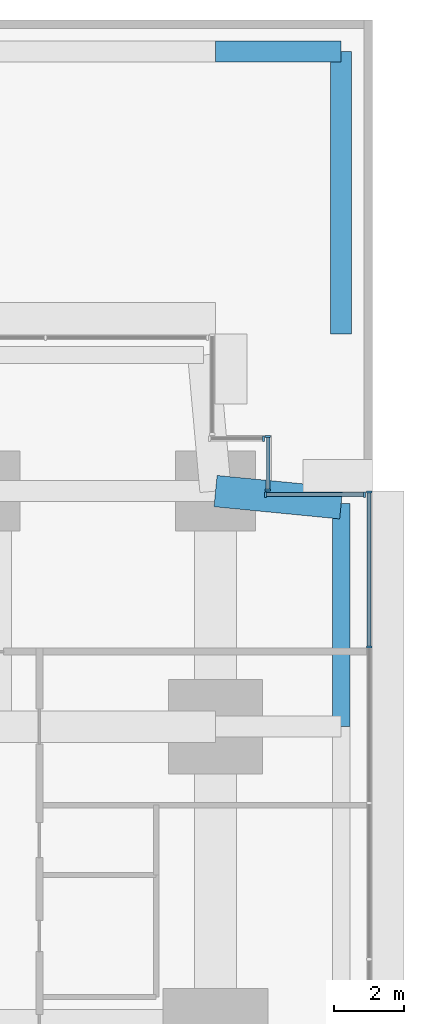
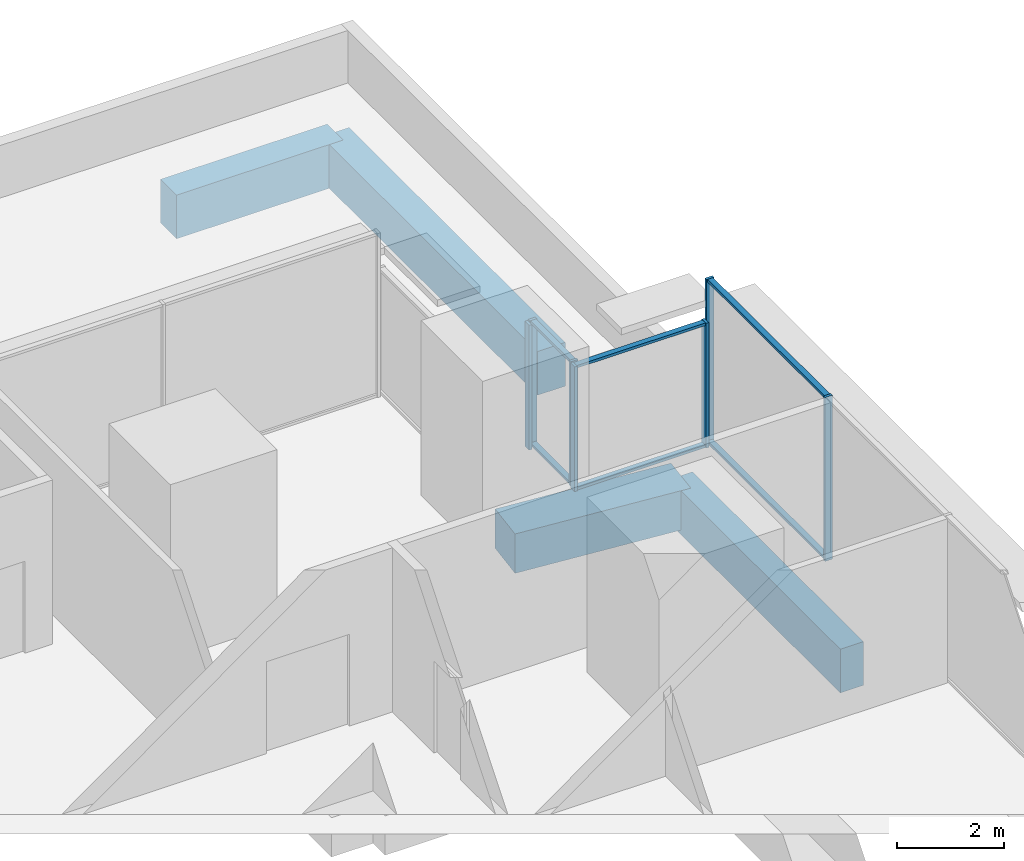
# One storey, part 20 of 34: 13 members, 4 beams, 4 elements without a shape of their own.
"""IFC4 building model written with IfcOpenShell, lengths in metres."""

from ifc_helpers import new_model, si_unit, direction, frame, origin, origin_2d, place, context, subcontext, project, spatial, rectangle, extrude, material, layer, layer_set, material_profile, profile_set, type_object, element, aggregate, save


model = new_model("IFC4")

# Units and contexts
model_context = context("Model", 3, precision=1e-05, world=origin(), true_north=direction((0.0, 1.0)))
body_context = subcontext(model_context, "Body", "Model", "MODEL_VIEW")
ifc_project = project(units=[si_unit("LENGTHUNIT", "METRE"), si_unit("AREAUNIT", "SQUARE_METRE"), si_unit("VOLUMEUNIT", "CUBIC_METRE"), si_unit("PLANEANGLEUNIT", "RADIAN"), si_unit("MASSUNIT", "GRAM", prefix="KILO")], contexts=[model_context])

# Site, building, storey
site_placement = place(None, origin())
site = spatial("IfcSite", under=ifc_project, at=site_placement, CompositionType="ELEMENT")
building_placement = place(site_placement, origin())
building = spatial("IfcBuilding", under=site, at=building_placement, Name="Namib Vertical Campus", CompositionType="ELEMENT")
storey_placement = place(building_placement, frame((0.0, 0.0, 21.0)))
storey = spatial("IfcBuildingStorey", under=building, at=storey_placement, Name="L04", CompositionType="ELEMENT", Elevation=21.0)

# Curtain wall, members
ifc_material_1 = material(Name="Black aluminium curtain wall", Category="aluminium")
ifc_layer = layer(ifc_material_1, 0.199951171875)
ifc_layer_set = layer_set([ifc_layer], Name="Lounge curtain wall CW-L4")
curtain_wall_type = type_object("IfcCurtainWallType", Name="Lounge curtain wall CW-L4", PredefinedType="USERDEFINED", material=ifc_layer_set)
curtain_wall_1_placement = place(storey_placement, origin())
curtain_wall_1 = element("IfcCurtainWall", 1, at=curtain_wall_1_placement, inside=storey, type_object=curtain_wall_type, Name="Curtain wall CW-L4 L04 F06-1", ObjectType="CURTAIN WALL", PredefinedType="USERDEFINED")
ifc_material_2 = material(Name="Black anodised aluminium", Category="aluminium")
ifc_material_profile_1 = material_profile(ifc_material_2, rectangle(XDim=0.06005859375, YDim=0.159912109375, at=origin_2d()))
ifc_profile_set_1 = profile_set([ifc_material_profile_1], Name="Black anodised aluminium")
member_type_1 = type_object("IfcMemberType", Name="Curtain wall mullion 60x160", PredefinedType="MULLION", material=ifc_profile_set_1)
member_1_placement = place(storey_placement, frame((98.89990234375, 31.528564453125, 0.0), z_axis=(0.0, 0.0, 1.0), x_axis=(0.0, 1.0, 0.0)))
member_1 = element("IfcMember", 2, at=member_1_placement, type_object=member_type_1, Name="CW-L4 mullion 7", PredefinedType="MULLION", context=body_context, shape_type="SweptSolid", body=[
    extrude(rectangle(XDim=0.06005859375, YDim=0.159912109375, at=origin_2d()), origin(), (0.0, 0.0, 1.0), 3.75),
])
member_2_placement = place(storey_placement, frame((98.89990234375, 35.969970703125, 0.0), z_axis=(0.0, 0.0, 1.0), x_axis=(0.0, 1.0, 0.0)))
member_2 = element("IfcMember", 3, at=member_2_placement, type_object=member_type_1, Name="CW-L4 mullion 8", PredefinedType="MULLION", context=body_context, shape_type="SweptSolid", body=[
    extrude(rectangle(XDim=0.06005859375, YDim=0.159912109375, at=origin_2d()), origin(), (0.0, 0.0, 1.0), 3.75),
])

curtain_wall_2_placement = place(storey_placement, origin())
curtain_wall_2 = element("IfcCurtainWall", 4, at=curtain_wall_2_placement, inside=storey, type_object=curtain_wall_type, Name="Curtain wall CW-L4 L04 F07-1", ObjectType="CURTAIN WALL", PredefinedType="USERDEFINED")
member_3_placement = place(storey_placement, frame((98.77001953125, 35.89990234375, 0.0), z_axis=(0.0, 0.0, 1.0), x_axis=(-1.0, 0.0, 0.0)))
member_3 = element("IfcMember", 5, at=member_3_placement, type_object=member_type_1, Name="CW-L4 mullion 1", PredefinedType="MULLION", context=body_context, shape_type="SweptSolid", body=[
    extrude(rectangle(XDim=0.06005859375, YDim=0.159912109375, at=origin_2d()), origin(), (0.0, 0.0, 1.0), 2.85009765625),
])
member_4_placement = place(storey_placement, frame((95.929931640625, 35.89990234375, 0.0), z_axis=(0.0, 0.0, 1.0), x_axis=(-1.0, 0.0, 0.0)))
member_4 = element("IfcMember", 6, at=member_4_placement, type_object=member_type_1, Name="CW-L4 mullion 2", PredefinedType="MULLION", context=body_context, shape_type="SweptSolid", body=[
    extrude(rectangle(XDim=0.06005859375, YDim=0.159912109375, at=origin_2d()), origin(), (0.0, 0.0, 1.0), 2.85009765625),
])

curtain_wall_3_placement = place(storey_placement, origin())
curtain_wall_3 = element("IfcCurtainWall", 7, at=curtain_wall_3_placement, inside=storey, type_object=curtain_wall_type, Name="Curtain wall CW-L4 L04 F08-1", ObjectType="CURTAIN WALL", PredefinedType="USERDEFINED")
member_5_placement = place(storey_placement, frame((96.0, 36.030029296875, 0.0), z_axis=(0.0, 0.0, 1.0), x_axis=(0.0, 1.0, 0.0)))
member_5 = element("IfcMember", 8, at=member_5_placement, type_object=member_type_1, Name="CW-L4 mullion 1", PredefinedType="MULLION", context=body_context, shape_type="SweptSolid", body=[
    extrude(rectangle(XDim=0.06005859375, YDim=0.159912109375, at=origin_2d()), origin(), (0.0, 0.0, 1.0), 2.85009765625),
])
member_6_placement = place(storey_placement, frame((96.0, 37.570068359375, 0.0), z_axis=(0.0, 0.0, 1.0), x_axis=(0.0, 1.0, 0.0)))
member_6 = element("IfcMember", 9, at=member_6_placement, type_object=member_type_1, Name="CW-L4 mullion 2", PredefinedType="MULLION", context=body_context, shape_type="SweptSolid", body=[
    extrude(rectangle(XDim=0.06005859375, YDim=0.159912109375, at=origin_2d()), origin(), (0.0, 0.0, 1.0), 2.85009765625),
])

# Curtain wall, member
curtain_wall_4_placement = place(storey_placement, origin())
curtain_wall_4 = element("IfcCurtainWall", 10, at=curtain_wall_4_placement, inside=storey, type_object=curtain_wall_type, Name="Curtain wall CW-L4 L04 F09-1", ObjectType="CURTAIN WALL", PredefinedType="USERDEFINED")
member_7_placement = place(storey_placement, frame((95.8701171875, 37.5, 0.0), z_axis=(0.0, 0.0, 1.0), x_axis=(-1.0, 0.0, 0.0)))
member_7 = element("IfcMember", 11, at=member_7_placement, type_object=member_type_1, Name="CW-L4 mullion 1", PredefinedType="MULLION", context=body_context, shape_type="SweptSolid", body=[
    extrude(rectangle(XDim=0.06005859375, YDim=0.159912109375, at=origin_2d()), origin(), (0.0, 0.0, 1.0), 2.85009765625),
])
aggregate(curtain_wall_4, [member_7])

# Member
ifc_material_3 = material(Name="Black anodised aluminium", Category="aluminium")
ifc_material_profile_2 = material_profile(ifc_material_3, rectangle(XDim=0.06005859375, YDim=0.1201171875, at=origin_2d()))
ifc_profile_set_2 = profile_set([ifc_material_profile_2], Name="Black anodised aluminium")
member_type_2 = type_object("IfcMemberType", Name="Curtain wall transom 60x120", PredefinedType="USERDEFINED", material=ifc_profile_set_2)
member_8_placement = place(storey_placement, frame((98.89990234375, 31.55859375, 0.030029296875), z_axis=(0.0, 1.0, 0.0), x_axis=(0.0, 0.0, 1.0)))
member_8 = element("IfcMember", 12, at=member_8_placement, type_object=member_type_2, Name="CW-L4 transom 7.1", ObjectType="TRANSOM", PredefinedType="USERDEFINED", context=body_context, shape_type="SweptSolid", body=[
    extrude(rectangle(XDim=0.06005859375, YDim=0.1201171875, at=origin_2d()), origin(), (0.0, 0.0, 1.0), 4.38134765625),
])

member_9_placement = place(storey_placement, frame((98.89990234375, 31.55859375, 3.719970703125), z_axis=(0.0, 1.0, 0.0), x_axis=(0.0, 0.0, 1.0)))
member_9 = element("IfcMember", 13, at=member_9_placement, type_object=member_type_2, Name="CW-L4 transom 7.2", ObjectType="TRANSOM", PredefinedType="USERDEFINED", context=body_context, shape_type="SweptSolid", body=[
    extrude(rectangle(XDim=0.06005859375, YDim=0.1201171875, at=origin_2d()), origin(), (0.0, 0.0, 1.0), 4.38134765625),
])

aggregate(curtain_wall_1, [member_1, member_2, member_8, member_9])

member_10_placement = place(storey_placement, frame((98.739990234375, 35.89990234375, 0.030029296875), z_axis=(-1.0, 0.0, 0.0), x_axis=(0.0, 0.0, 1.0)))
member_10 = element("IfcMember", 14, at=member_10_placement, type_object=member_type_2, Name="CW-L4 transom 1.1", ObjectType="TRANSOM", PredefinedType="USERDEFINED", context=body_context, shape_type="SweptSolid", body=[
    extrude(rectangle(XDim=0.06005859375, YDim=0.1201171875, at=origin_2d()), origin(), (0.0, 0.0, 1.0), 2.780029296875),
])

member_11_placement = place(storey_placement, frame((98.739990234375, 35.89990234375, 2.820068359375), z_axis=(-1.0, 0.0, 0.0), x_axis=(0.0, 0.0, 1.0)))
member_11 = element("IfcMember", 15, at=member_11_placement, type_object=member_type_2, Name="CW-L4 transom 1.2", ObjectType="TRANSOM", PredefinedType="USERDEFINED", context=body_context, shape_type="SweptSolid", body=[
    extrude(rectangle(XDim=0.06005859375, YDim=0.1201171875, at=origin_2d()), origin(), (0.0, 0.0, 1.0), 2.780029296875),
])

aggregate(curtain_wall_2, [member_3, member_4, member_10, member_11])

member_12_placement = place(storey_placement, frame((96.0, 36.06005859375, 0.030029296875), z_axis=(0.0, 1.0, 0.0), x_axis=(0.0, 0.0, 1.0)))
member_12 = element("IfcMember", 16, at=member_12_placement, type_object=member_type_2, Name="CW-L4 transom 1.1", ObjectType="TRANSOM", PredefinedType="USERDEFINED", context=body_context, shape_type="SweptSolid", body=[
    extrude(rectangle(XDim=0.06005859375, YDim=0.1201171875, at=origin_2d()), origin(), (0.0, 0.0, 1.0), 1.47998046875),
])

member_13_placement = place(storey_placement, frame((96.0, 36.06005859375, 2.820068359375), z_axis=(0.0, 1.0, 0.0), x_axis=(0.0, 0.0, 1.0)))
member_13 = element("IfcMember", 17, at=member_13_placement, type_object=member_type_2, Name="CW-L4 transom 1.2", ObjectType="TRANSOM", PredefinedType="USERDEFINED", context=body_context, shape_type="SweptSolid", body=[
    extrude(rectangle(XDim=0.06005859375, YDim=0.1201171875, at=origin_2d()), origin(), (0.0, 0.0, 1.0), 1.47998046875),
])

aggregate(curtain_wall_3, [member_5, member_6, member_12, member_13])

# Beams
ifc_material_4 = material(Name="Concrete C40/50", Category="concrete")
ifc_material_profile_3 = material_profile(ifc_material_4, rectangle(XDim=0.60009765625, YDim=1.0, at=origin_2d()))
ifc_profile_set_3 = profile_set([ifc_material_profile_3], Name="Concrete C40/50")
beam_type_1 = type_object("IfcBeamType", Name="Podium beam RC 600x1000", PredefinedType="BEAM", material=ifc_profile_set_3)
beam_1_placement = place(storey_placement, frame((98.10009765625, 40.5, -0.800048828125), z_axis=(0.0, 1.0, 0.0), x_axis=(-1.0, 0.0, 0.0)))
element("IfcBeam", 18, at=beam_1_placement, inside=storey, type_object=beam_type_1, Name="Beam PB1 L04", PredefinedType="BEAM", context=body_context, shape_type="SweptSolid", body=[
    extrude(rectangle(XDim=0.60009765625, YDim=1.0, at=origin_2d()), origin(), (0.0, 0.0, 1.0), 8.10009765625),
])
beam_2_placement = place(storey_placement, frame((94.5, 48.60009765625, -0.800048828125), z_axis=(1.0, 0.0, 0.0), x_axis=(0.0, 1.0, 0.0)))
element("IfcBeam", 19, at=beam_2_placement, inside=storey, type_object=beam_type_1, Name="Beam PB1 L04", PredefinedType="BEAM", context=body_context, shape_type="SweptSolid", body=[
    extrude(rectangle(XDim=0.60009765625, YDim=1.0, at=origin_2d()), origin(), (0.0, 0.0, 1.0), 3.60009765625),
])
ifc_material_5 = material(Name="Concrete C40/50", Category="concrete")
ifc_material_profile_4 = material_profile(ifc_material_5, rectangle(XDim=0.89990234375, YDim=0.89990234375, at=origin_2d()))
ifc_profile_set_4 = profile_set([ifc_material_profile_4], Name="Concrete C40/50")
beam_type_2 = type_object("IfcBeamType", Name="Podium roof corner cantilever RC 900x900", PredefinedType="BEAM", material=ifc_profile_set_4)
beam_3_placement = place(storey_placement, frame((94.5, 36.0, -0.75), z_axis=(0.99530481399, -0.096790119576, 0.0), x_axis=(0.096790119576, 0.99530481399, 0.0)))
element("IfcBeam", 20, at=beam_3_placement, inside=storey, type_object=beam_type_2, Name="Beam B13 L04", PredefinedType="BEAM", context=body_context, shape_type="SweptSolid", body=[
    extrude(rectangle(XDim=0.89990234375, YDim=0.89990234375, at=origin_2d()), origin(), (0.0, 0.0, 1.0), 3.6171875),
])
ifc_material_6 = material(Name="Concrete C40/50", Category="concrete")
ifc_material_profile_5 = material_profile(ifc_material_6, rectangle(XDim=0.5, YDim=1.0, at=origin_2d()))
ifc_profile_set_5 = profile_set([ifc_material_profile_5], Name="Concrete C40/50")
beam_type_3 = type_object("IfcBeamType", Name="Podium roof edge beam RC 500x1000", PredefinedType="SPANDREL", material=ifc_profile_set_5)
beam_4_placement = place(storey_placement, frame((98.10009765625, 29.25, -0.800048828125), z_axis=(0.0, 1.0, 0.0), x_axis=(-1.0, 0.0, 0.0)))
element("IfcBeam", 21, at=beam_4_placement, inside=storey, type_object=beam_type_3, Name="Beam B8 L04", PredefinedType="SPANDREL", context=body_context, shape_type="SweptSolid", body=[
    extrude(rectangle(XDim=0.5, YDim=1.0, at=origin_2d()), origin(), (0.0, 0.0, 1.0), 6.39990234375),
])

save(model, "model.ifc")
